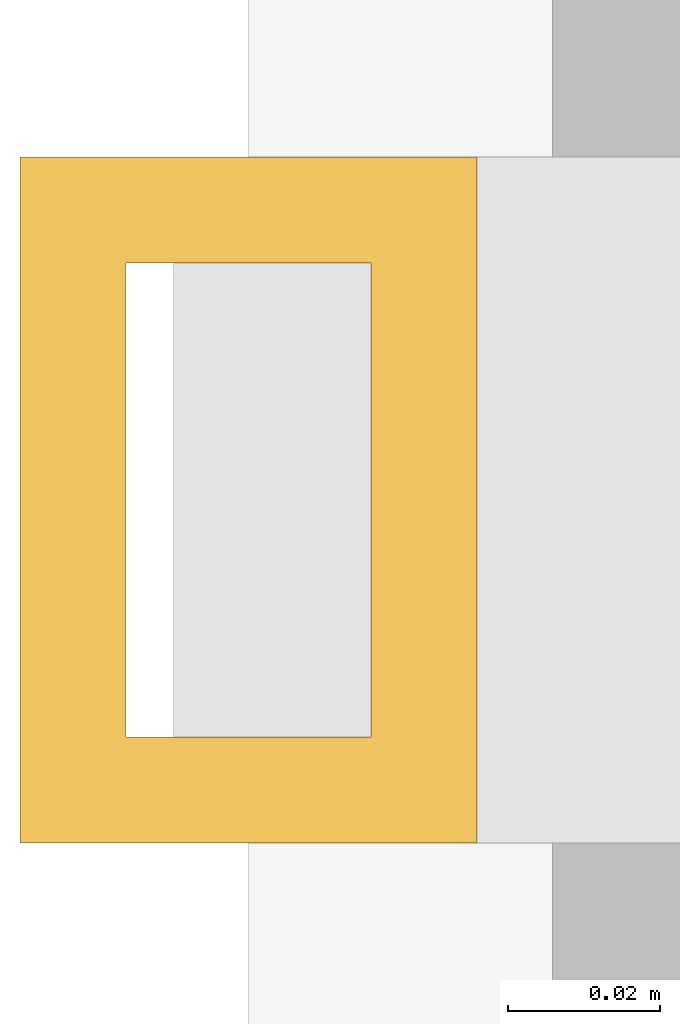
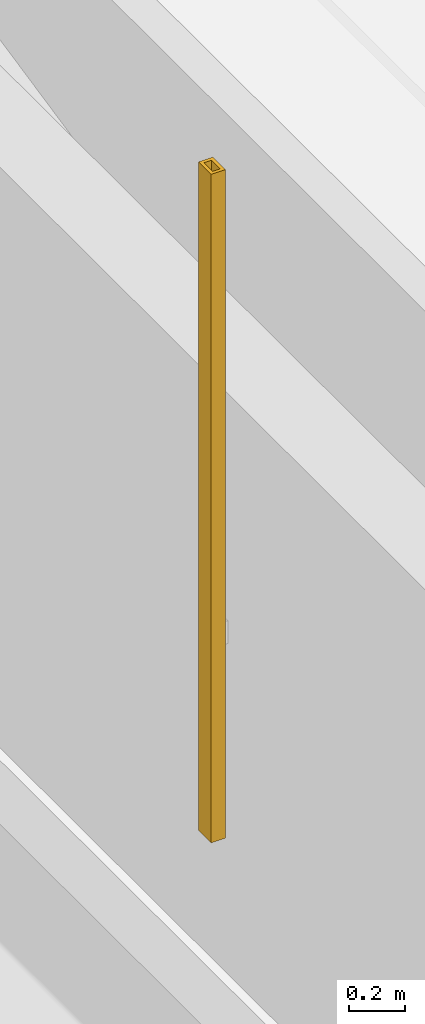
# One storey, part 18 of 29: 1 shading device.
"""IFC4 building model written with IfcOpenShell, lengths in metres."""

import ifcopenshell
import ifcopenshell.guid

model = None  # the IFC model being written
_history = None  # IfcOwnerHistory: only IFC2X3 demands one
_inside = {}  # id of a spatial element -> (the spatial element, [elements in it])
_under = {}  # id of a project, library or spatial element -> (it, [spatial elements below it])
_declared = {}  # id of a project -> (the project, [libraries it declares])
_typed = {}  # id of a type object -> (the type object, [elements of that type])
_made_of = {}  # id of a material, layer set ... -> (it, [elements and type objects made of it])


def new_model(schema):
    """Start an empty IFC model of exactly this schema.

    Asked for "IFC4X3", IfcOpenShell would pick the latest addendum, in which some entities
    have other attributes; the version numbers below select the first issue.
    IFC2X3 requires an IfcOwnerHistory on every rooted entity: one is made here for all.
    """
    global model, _history
    if schema == "IFC4X3":
        model = ifcopenshell.file(schema_version=(4, 3, 0, 0))
    else:
        model = ifcopenshell.file(schema=schema)
    _inside.clear()
    _under.clear()
    _declared.clear()
    _typed.clear()
    _made_of.clear()
    _history = None
    if model.schema == "IFC2X3":
        org = make("IfcOrganization", Name="unknown")
        user = make(
            "IfcPersonAndOrganization",
            ThePerson=make("IfcPerson", FamilyName="unknown"),
            TheOrganization=org,
        )
        app = make(
            "IfcApplication",
            ApplicationDeveloper=org,
            Version="unknown",
            ApplicationFullName="unknown",
            ApplicationIdentifier="unknown",
        )
        _history = make(
            "IfcOwnerHistory",
            OwningUser=user,
            OwningApplication=app,
            ChangeAction="ADDED",
            CreationDate=0,
        )
    return model


def make(cls, **values):
    """One entity of the class cls with the attributes given. An attribute that is None is left unset."""
    return model.create_entity(
        cls, **{name: value for name, value in values.items() if value is not None}
    )


def rooted(cls, **values):
    """An entity with a GlobalId (a new one), such as an element, a storey or a relation."""
    return make(cls, GlobalId=ifcopenshell.guid.new(), OwnerHistory=_history, **values)


def si_unit(unit_type, name, prefix=None):
    """IfcSIUnit, for example si_unit("LENGTHUNIT", "METRE", prefix="MILLI")."""
    return make("IfcSIUnit", UnitType=unit_type, Prefix=prefix, Name=name)


def assignment(units):
    """IfcUnitAssignment: the units of a project."""
    return None if units is None else make("IfcUnitAssignment", Units=units)


def point(xyz):
    """IfcCartesianPoint."""
    return None if xyz is None else make("IfcCartesianPoint", Coordinates=xyz)


def direction(xyz):
    """IfcDirection."""
    return None if xyz is None else make("IfcDirection", DirectionRatios=xyz)


def frame(location, z_axis=None, x_axis=None):
    """IfcAxis2Placement3D, a coordinate frame: its origin and axes. An axis left out is left unset."""
    return make(
        "IfcAxis2Placement3D",
        Location=point(location),
        Axis=direction(z_axis),
        RefDirection=direction(x_axis),
    )


def frame_2d(location, x_axis=None):
    """IfcAxis2Placement2D, a coordinate frame in the plane: its origin and x axis."""
    return make(
        "IfcAxis2Placement2D", Location=point(location), RefDirection=direction(x_axis)
    )


def origin():
    """The frame at (0, 0, 0) with its axes left unset."""
    return frame((0.0, 0.0, 0.0))


def origin_2d():
    """The frame at (0, 0) in the plane with its x axis left unset."""
    return frame_2d((0.0, 0.0))


def place(relative_to, where):
    """IfcLocalPlacement: puts the frame where relative to a parent placement (None: the world)."""
    return make(
        "IfcLocalPlacement", PlacementRelTo=relative_to, RelativePlacement=where
    )


def context(
    kind, dimensions, precision=None, world=None, true_north=None, identifier=None
):
    """IfcGeometricRepresentationContext, for example the 3D "Model" context."""
    return make(
        "IfcGeometricRepresentationContext",
        ContextIdentifier=identifier,
        ContextType=kind,
        CoordinateSpaceDimension=dimensions,
        Precision=precision,
        WorldCoordinateSystem=world,
        TrueNorth=true_north,
    )


def subcontext(parent, identifier, kind, view, scale=None):
    """IfcGeometricRepresentationSubContext, for example "Body" below "Model"."""
    return make(
        "IfcGeometricRepresentationSubContext",
        ContextIdentifier=identifier,
        ContextType=kind,
        ParentContext=parent,
        TargetScale=scale,
        TargetView=view,
    )


def project(units=None, contexts=None):
    """IfcProject with its units and contexts."""
    return rooted(
        "IfcProject",
        Name="project",
        RepresentationContexts=contexts,
        UnitsInContext=assignment(units),
    )


def spatial(cls, under=None, at=None, **own):
    """A site, building, storey or space (cls), placed at a placement, below another one or the project."""
    s = rooted(cls, ObjectPlacement=at, **own)
    if under is not None:
        _under.setdefault(under.id(), (under, []))[1].append(s)
    return s


def profile(cls, at=None, kind="AREA", **sizes):
    """A parametric profile (cls). Its sizes go by their IFC names, for example OverallWidth=200.0."""
    return make(cls, ProfileType=kind, Position=at, **sizes)


def hollow_rectangle(**sizes):
    """IfcRectangleHollowProfileDef."""
    return profile("IfcRectangleHollowProfileDef", **sizes)


def extrude(swept, where, along, depth):
    """IfcExtrudedAreaSolid: the profile swept, set in the frame where, extruded along a direction by depth."""
    return make(
        "IfcExtrudedAreaSolid",
        SweptArea=swept,
        Position=where,
        ExtrudedDirection=direction(along),
        Depth=depth,
    )


def shape(context_of_items, identifier, shape_type, items):
    """IfcShapeRepresentation: the items that make up one representation, for example the "Body"."""
    return make(
        "IfcShapeRepresentation",
        ContextOfItems=context_of_items,
        RepresentationIdentifier=identifier,
        RepresentationType=shape_type,
        Items=items,
    )


def material(Name=None, Category=None):
    """IfcMaterial."""
    return make("IfcMaterial", Name=Name, Category=Category)


def material_profile(
    of_material, cross_section, Name=None, Category=None, Priority=None
):
    """IfcMaterialProfile: a cross section and its material."""
    return make(
        "IfcMaterialProfile",
        Name=Name,
        Material=of_material,
        Profile=cross_section,
        Priority=Priority,
        Category=Category,
    )


def profile_set(profiles, Name=None, composite=None):
    """IfcMaterialProfileSet."""
    return make(
        "IfcMaterialProfileSet",
        Name=Name,
        MaterialProfiles=profiles,
        CompositeProfile=composite,
    )


def made_of(thing, what):
    """Note that an element or type object is made of a material, layer set ...; save() writes the relation."""
    if what is not None:
        _made_of.setdefault(what.id(), (what, []))[1].append(thing)
    return thing


def type_object(cls, material=None, **own):
    """A type object (cls), such as IfcWallType, which elements share."""
    return made_of(rooted(cls, **own), material)


def element(
    cls,
    number,
    at=None,
    inside=None,
    cuts=None,
    type_object=None,
    material=None,
    context=None,
    identifier="Body",
    shape_type=None,
    held_by="IfcProductDefinitionShape",
    body=None,
    shapes=None,
    **own,
):
    """One element of the class cls, such as IfcWall. Its Tag is "e" and its number.

    at: its placement. inside: the storey or other place that contains it. cuts: it is an
    opening in that element (IfcRelVoidsElement). A single representation is given by context,
    identifier, shape_type and body (its items); several are given by shapes. held_by: the class
    of the entity that holds the representations. save() writes the other relations.
    """
    e = rooted(cls, Tag="e%d" % number, ObjectPlacement=at, **own)
    if body is not None:
        shapes = [shape(context, identifier, shape_type, body)]
    if shapes is not None:
        e.Representation = make(held_by, Representations=shapes)
    if inside is not None:
        _inside.setdefault(inside.id(), (inside, []))[1].append(e)
    if cuts is not None:
        rooted(
            "IfcRelVoidsElement", RelatingBuildingElement=cuts, RelatedOpeningElement=e
        )
    if type_object is not None:
        _typed.setdefault(type_object.id(), (type_object, []))[1].append(e)
    return made_of(e, material)


def aggregate(whole, parts):
    """IfcRelAggregates: a whole, such as a stair, and the parts it consists of."""
    return rooted("IfcRelAggregates", RelatingObject=whole, RelatedObjects=parts)


def save(model, path):
    """Write the relations noted so far, then the file.

    IfcRelAggregates (storeys below a building ...), IfcRelContainedInSpatialStructure (elements
    in a storey), IfcRelDefinesByType, IfcRelAssociatesMaterial and IfcRelDeclares: one each for
    every whole, place, type object, material and project.
    """
    for whole, parts in _under.values():
        aggregate(whole, parts)
    for where, things in _inside.values():
        rooted(
            "IfcRelContainedInSpatialStructure",
            RelatedElements=things,
            RelatingStructure=where,
        )
    for kind, things in _typed.values():
        rooted("IfcRelDefinesByType", RelatedObjects=things, RelatingType=kind)
    for what, things in _made_of.values():
        rooted("IfcRelAssociatesMaterial", RelatedObjects=things, RelatingMaterial=what)
    for by, libraries in _declared.values():
        rooted("IfcRelDeclares", RelatingContext=by, RelatedDefinitions=libraries)
    model.write(path)


model = new_model("IFC4")

# Units and contexts
model_context = context("Model", 3, precision=1e-05, world=origin(), true_north=direction((0.0, 1.0)))
body_context = subcontext(model_context, "Body", "Model", "MODEL_VIEW")
ifc_project = project(units=[si_unit("LENGTHUNIT", "METRE"), si_unit("AREAUNIT", "SQUARE_METRE"), si_unit("VOLUMEUNIT", "CUBIC_METRE"), si_unit("PLANEANGLEUNIT", "RADIAN"), si_unit("MASSUNIT", "GRAM", prefix="KILO")], contexts=[model_context])

# Site, building, storey
site_placement = place(None, origin())
site = spatial("IfcSite", under=ifc_project, at=site_placement, CompositionType="ELEMENT")
building_placement = place(site_placement, origin())
building = spatial("IfcBuilding", under=site, at=building_placement, Name="Punatoya Terracotta Tower", CompositionType="ELEMENT")
storey_placement = place(building_placement, frame((0.0, 0.0, 172.199951171875)))
storey = spatial("IfcBuildingStorey", under=building, at=storey_placement, Name="L40", CompositionType="ELEMENT", Elevation=172.199951171875)

# Shading device
ifc_material = material(Name="Architectural Fired Terracotta", Category="masonry")
ifc_material_profile = material_profile(ifc_material, hollow_rectangle(XDim=0.06005859375, YDim=0.090087890625, WallThickness=0.013916015625, at=origin_2d()))
ifc_profile_set = profile_set([ifc_material_profile], Name="Architectural Fired Terracotta")
shading_device_type = type_object("IfcShadingDeviceType", Name="SHD-JALI-90", PredefinedType="JALOUSIE", material=ifc_profile_set)
shading_device_placement = place(storey_placement, frame((-25.050048828125, -11.493408203125, 0.60009765625), z_axis=(0.0, 0.0, 1.0), x_axis=(1.0, 0.0, 0.0)))
element("IfcShadingDevice", 1, at=shading_device_placement, inside=storey, type_object=shading_device_type, Name="L40 Braced Bay Terracotta Jali Fin W2", PredefinedType="JALOUSIE", context=body_context, shape_type="SweptSolid", body=[
    extrude(hollow_rectangle(XDim=0.06005859375, YDim=0.090087890625, WallThickness=0.013916015625, at=origin_2d()), origin(), (0.0, 0.0, 1.0), 2.929931640625),
])

save(model, "model.ifc")
